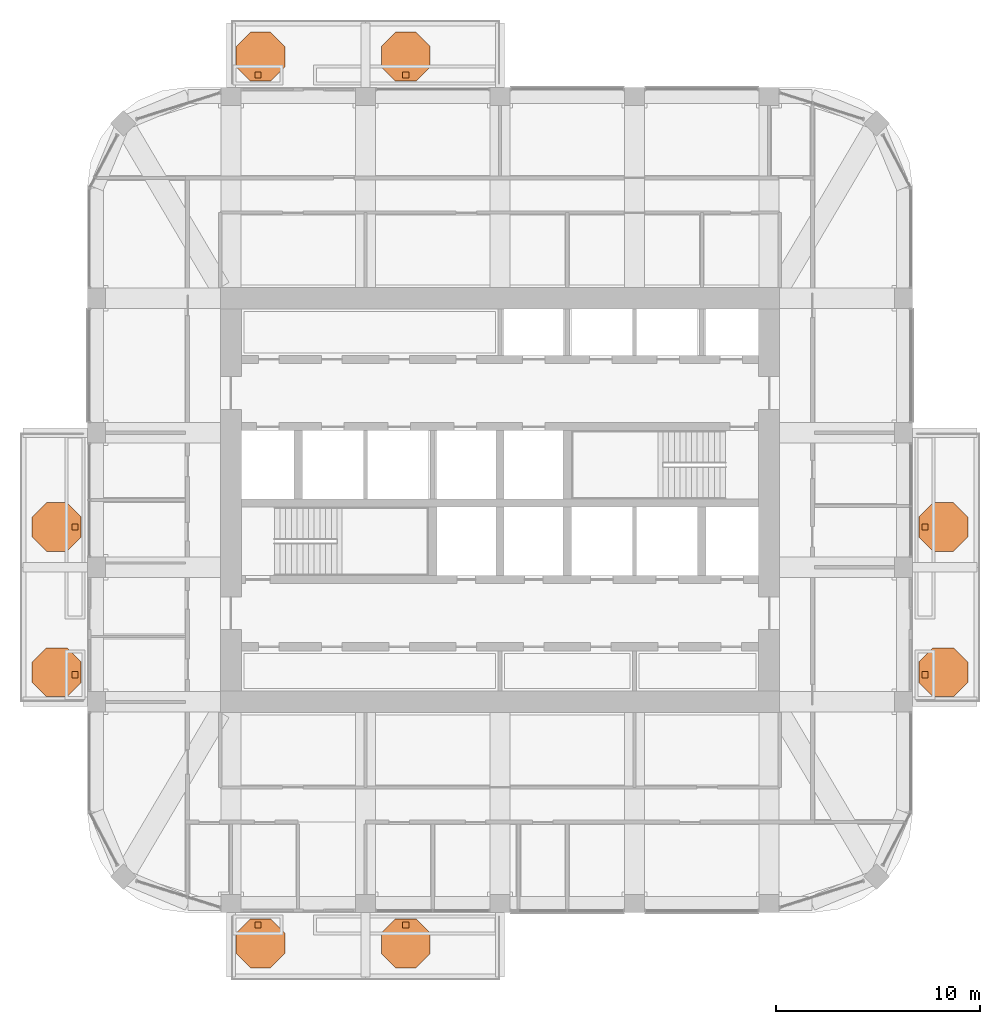
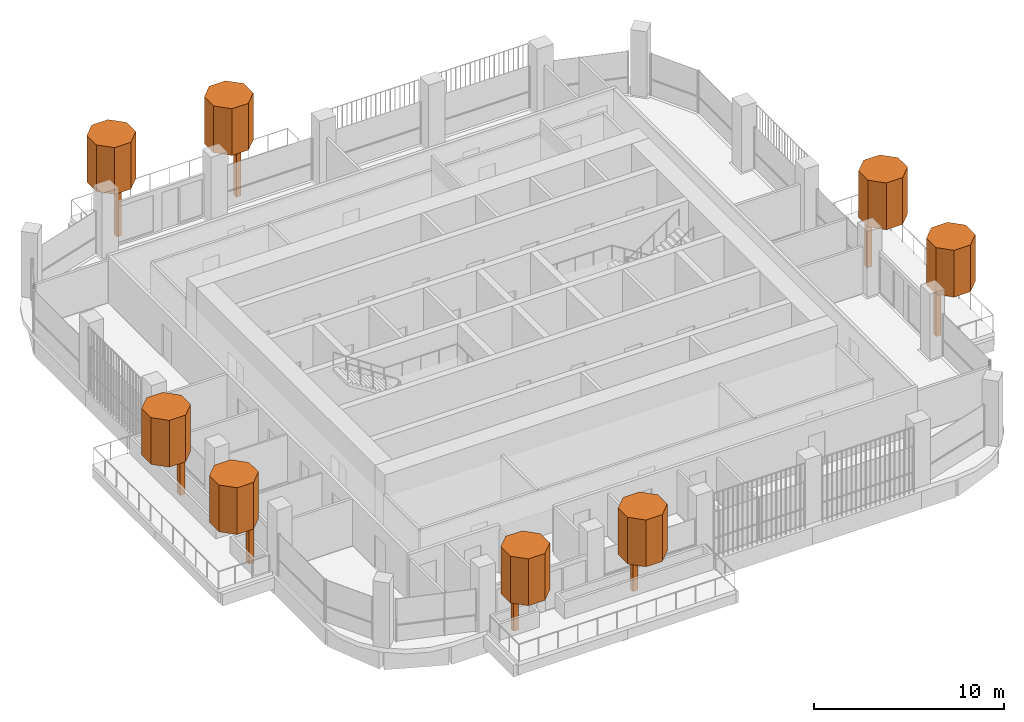
# One storey, part 19 of 19: 16 geographic elements.
"""IFC4 building model written with IfcOpenShell, lengths in metres."""

from ifc_helpers import new_model, si_unit, direction, frame, origin, origin_2d, place, context, subcontext, project, spatial, polyline, rectangle, outline, extrude, material, type_object, element, save


model = new_model("IFC4")

# Units and contexts
model_context = context("Model", 3, precision=1e-05, world=origin(), true_north=direction((0.0, 1.0)))
body_context = subcontext(model_context, "Body", "Model", "MODEL_VIEW")
ifc_project = project(units=[si_unit("LENGTHUNIT", "METRE"), si_unit("AREAUNIT", "SQUARE_METRE"), si_unit("VOLUMEUNIT", "CUBIC_METRE"), si_unit("PLANEANGLEUNIT", "RADIAN"), si_unit("MASSUNIT", "GRAM", prefix="KILO")], contexts=[model_context])

# Site, building, storey
site_placement = place(None, origin())
site = spatial("IfcSite", under=ifc_project, at=site_placement, CompositionType="ELEMENT")
building_placement = place(site_placement, origin())
building = spatial("IfcBuilding", under=site, at=building_placement, Name="Cobogo Forest Laboratory Tower", CompositionType="ELEMENT")
storey_placement = place(building_placement, frame((0.0, 0.0, 262.800048828125)))
storey = spatial("IfcBuildingStorey", under=building, at=storey_placement, Name="L60", CompositionType="ELEMENT", Elevation=262.800048828125)

# Geographic elements
ifc_material = material(Name="Planting", Category="plant")
geographic_element_type_1 = type_object("IfcGeographicElementType", Name="Tree trunk 300", PredefinedType="USERDEFINED", material=ifc_material)
for number, where, z_axis, x_axis, name in (
    (1, (14.52490234375, 2.25, 0.0), (0.0, 0.0, 1.0), (1.0, 0.0, 0.0), "Tree trunk BAL-S1-PL1 L60"),
    (2, (21.77490234375, 2.25, 0.0), (0.0, 0.0, 1.0), (1.0, 0.0, 0.0), "Tree trunk BAL-S1-PL2 L60"),
    (3, (47.25, 14.52490234375, 0.0), (0.0, 0.0, 1.0), (1.0, 0.0, 0.0), "Tree trunk BAL-E1-PL1 L60"),
    (4, (47.25, 21.77490234375, 0.0), (0.0, 0.0, 1.0), (1.0, 0.0, 0.0), "Tree trunk BAL-E1-PL2 L60"),
    (5, (14.52490234375, 43.949951171875, 0.0), (0.0, 0.0, 1.0), (1.0, 0.0, 0.0), "Tree trunk BAL-N1-PL1 L60"),
    (6, (21.77490234375, 43.949951171875, 0.0), (0.0, 0.0, 1.0), (1.0, 0.0, 0.0), "Tree trunk BAL-N1-PL2 L60"),
    (7, (5.550048828125, 14.52490234375, 0.0), (0.0, 0.0, 1.0), (1.0, 0.0, 0.0), "Tree trunk BAL-W1-PL1 L60"),
    (8, (5.550048828125, 21.77490234375, 0.0), (0.0, 0.0, 1.0), (1.0, 0.0, 0.0), "Tree trunk BAL-W1-PL2 L60"),
):
    element("IfcGeographicElement", number, at=place(storey_placement, frame(where, z_axis=z_axis, x_axis=x_axis)), inside=storey, type_object=geographic_element_type_1, Name=name, ObjectType="TREE TRUNK", PredefinedType="USERDEFINED", context=body_context, shape_type="SweptSolid", body=[
        extrude(rectangle(XDim=0.300048828125, YDim=0.300048828125, at=origin_2d()), origin(), (0.0, 0.0, 1.0), 2.89990234375),
    ])
geographic_element_type_2 = type_object("IfcGeographicElementType", Name="Tree, holm oak 5 m", PredefinedType="USERDEFINED", material=ifc_material)
geographic_element_1_placement = place(storey_placement, frame((0.0, 0.0, 2.89990234375)))
element("IfcGeographicElement", 9, at=geographic_element_1_placement, inside=storey, type_object=geographic_element_type_2, Name="Holm tree BAL-S1-PL1 L60", ObjectType="TREE", PredefinedType="USERDEFINED", context=body_context, shape_type="SweptSolid", body=[
    extrude(outline(polyline([(15.85009765625, 0.85302734375), (15.85009765625, 1.84716796875), (15.14697265625, 2.550048828125), (14.15283203125, 2.550048828125), (13.449951171875, 1.84716796875), (13.449951171875, 0.85302734375), (14.15283203125, 0.14990234375), (15.14697265625, 0.14990234375), (15.85009765625, 0.85302734375)])), origin(), (0.0, 0.0, 1.0), 3.0),
])
geographic_element_2_placement = place(storey_placement, frame((0.0, 0.0, 2.89990234375)))
element("IfcGeographicElement", 10, at=geographic_element_2_placement, inside=storey, type_object=geographic_element_type_2, Name="Holm tree BAL-S1-PL2 L60", ObjectType="TREE", PredefinedType="USERDEFINED", context=body_context, shape_type="SweptSolid", body=[
    extrude(outline(polyline([(22.97509765625, 0.85302734375), (22.97509765625, 1.84716796875), (22.27197265625, 2.550048828125), (21.27783203125, 2.550048828125), (20.574951171875, 1.84716796875), (20.574951171875, 0.85302734375), (21.27783203125, 0.14990234375), (22.27197265625, 0.14990234375), (22.97509765625, 0.85302734375)])), origin(), (0.0, 0.0, 1.0), 3.0),
])
geographic_element_3_placement = place(storey_placement, frame((0.0, 0.0, 2.89990234375)))
element("IfcGeographicElement", 11, at=geographic_element_3_placement, inside=storey, type_object=geographic_element_type_2, Name="Holm tree BAL-E1-PL1 L60", ObjectType="TREE", PredefinedType="USERDEFINED", context=body_context, shape_type="SweptSolid", body=[
    extrude(outline(polyline([(49.35009765625, 14.15283203125), (49.35009765625, 15.14697265625), (48.64697265625, 15.85009765625), (47.65283203125, 15.85009765625), (46.949951171875, 15.14697265625), (46.949951171875, 14.15283203125), (47.65283203125, 13.449951171875), (48.64697265625, 13.449951171875), (49.35009765625, 14.15283203125)])), origin(), (0.0, 0.0, 1.0), 3.0),
])
geographic_element_4_placement = place(storey_placement, frame((0.0, 0.0, 2.89990234375)))
element("IfcGeographicElement", 12, at=geographic_element_4_placement, inside=storey, type_object=geographic_element_type_2, Name="Holm tree BAL-E1-PL2 L60", ObjectType="TREE", PredefinedType="USERDEFINED", context=body_context, shape_type="SweptSolid", body=[
    extrude(outline(polyline([(49.35009765625, 21.27783203125), (49.35009765625, 22.27197265625), (48.64697265625, 22.97509765625), (47.65283203125, 22.97509765625), (46.949951171875, 22.27197265625), (46.949951171875, 21.27783203125), (47.65283203125, 20.574951171875), (48.64697265625, 20.574951171875), (49.35009765625, 21.27783203125)])), origin(), (0.0, 0.0, 1.0), 3.0),
])
geographic_element_5_placement = place(storey_placement, frame((0.0, 0.0, 2.89990234375)))
element("IfcGeographicElement", 13, at=geographic_element_5_placement, inside=storey, type_object=geographic_element_type_2, Name="Holm tree BAL-N1-PL1 L60", ObjectType="TREE", PredefinedType="USERDEFINED", context=body_context, shape_type="SweptSolid", body=[
    extrude(outline(polyline([(15.85009765625, 44.35302734375), (15.85009765625, 45.34716796875), (15.14697265625, 46.050048828125), (14.15283203125, 46.050048828125), (13.449951171875, 45.34716796875), (13.449951171875, 44.35302734375), (14.15283203125, 43.64990234375), (15.14697265625, 43.64990234375), (15.85009765625, 44.35302734375)])), origin(), (0.0, 0.0, 1.0), 3.0),
])
geographic_element_6_placement = place(storey_placement, frame((0.0, 0.0, 2.89990234375)))
element("IfcGeographicElement", 14, at=geographic_element_6_placement, inside=storey, type_object=geographic_element_type_2, Name="Holm tree BAL-N1-PL2 L60", ObjectType="TREE", PredefinedType="USERDEFINED", context=body_context, shape_type="SweptSolid", body=[
    extrude(outline(polyline([(22.97509765625, 44.35302734375), (22.97509765625, 45.34716796875), (22.27197265625, 46.050048828125), (21.27783203125, 46.050048828125), (20.574951171875, 45.34716796875), (20.574951171875, 44.35302734375), (21.27783203125, 43.64990234375), (22.27197265625, 43.64990234375), (22.97509765625, 44.35302734375)])), origin(), (0.0, 0.0, 1.0), 3.0),
])
geographic_element_7_placement = place(storey_placement, frame((0.0, 0.0, 2.89990234375)))
element("IfcGeographicElement", 15, at=geographic_element_7_placement, inside=storey, type_object=geographic_element_type_2, Name="Holm tree BAL-W1-PL1 L60", ObjectType="TREE", PredefinedType="USERDEFINED", context=body_context, shape_type="SweptSolid", body=[
    extrude(outline(polyline([(5.85009765625, 14.15283203125), (5.85009765625, 15.14697265625), (5.14697265625, 15.85009765625), (4.15283203125, 15.85009765625), (3.449951171875, 15.14697265625), (3.449951171875, 14.15283203125), (4.15283203125, 13.449951171875), (5.14697265625, 13.449951171875), (5.85009765625, 14.15283203125)])), origin(), (0.0, 0.0, 1.0), 3.0),
])
geographic_element_8_placement = place(storey_placement, frame((0.0, 0.0, 2.89990234375)))
element("IfcGeographicElement", 16, at=geographic_element_8_placement, inside=storey, type_object=geographic_element_type_2, Name="Holm tree BAL-W1-PL2 L60", ObjectType="TREE", PredefinedType="USERDEFINED", context=body_context, shape_type="SweptSolid", body=[
    extrude(outline(polyline([(5.85009765625, 21.27783203125), (5.85009765625, 22.27197265625), (5.14697265625, 22.97509765625), (4.15283203125, 22.97509765625), (3.449951171875, 22.27197265625), (3.449951171875, 21.27783203125), (4.15283203125, 20.574951171875), (5.14697265625, 20.574951171875), (5.85009765625, 21.27783203125)])), origin(), (0.0, 0.0, 1.0), 3.0),
])

save(model, "model.ifc")
